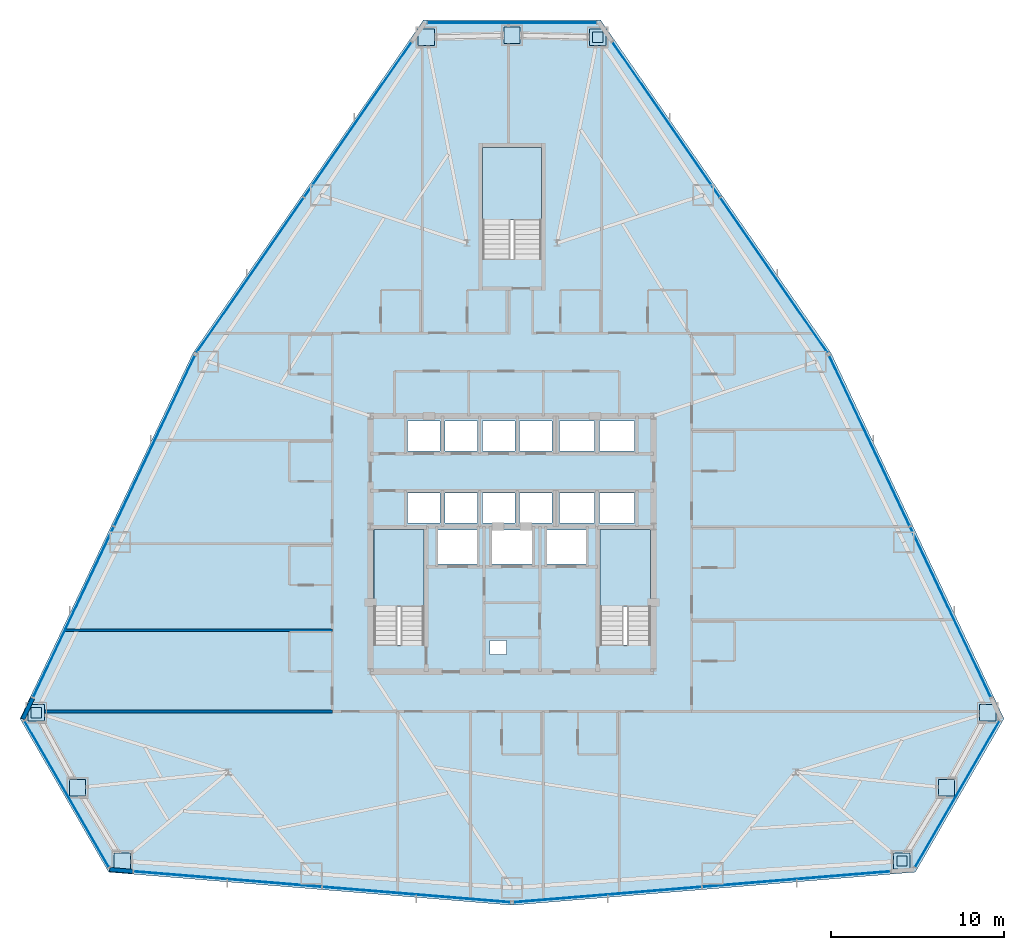
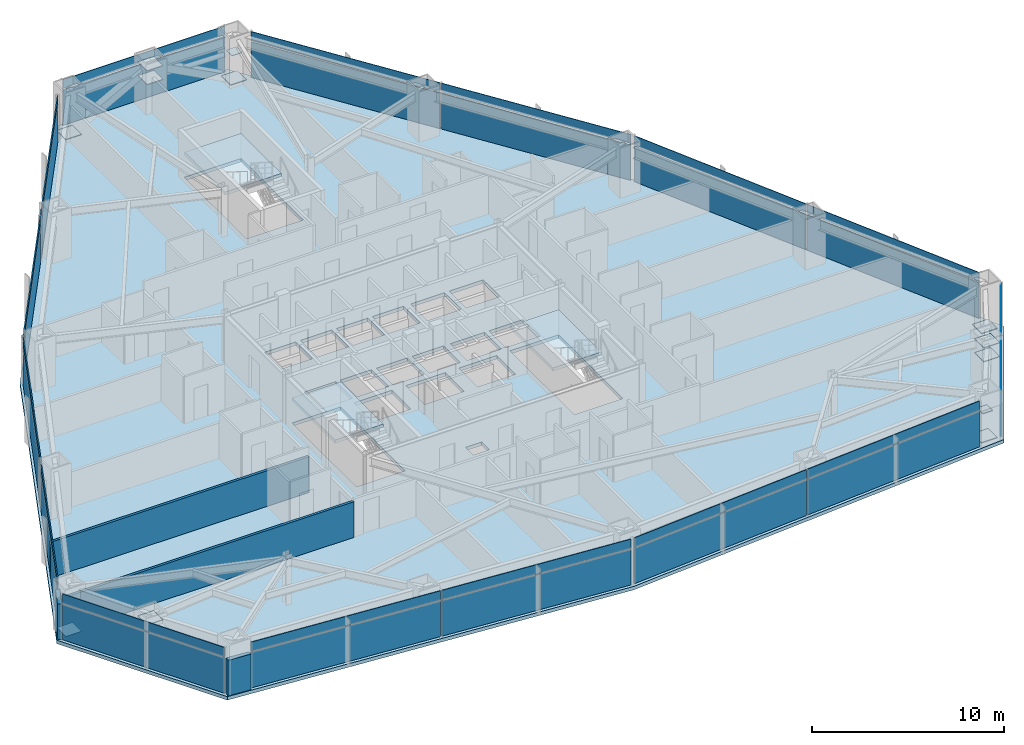
# One storey, part 8 of 13: 45 plates, 4 slabs, 4 walls, 12 elements without a shape of their own.
"""IFC4 building model written with IfcOpenShell, lengths in metres."""

from ifc_helpers import new_model, si_unit, direction, frame, frame_2d, origin, origin_2d, place, context, subcontext, project, spatial, polyline, rectangle, outline, extrude, source, transform, mapped, material, layer, layer_set, type_object, type_shapes, element, aggregate, save


model = new_model("IFC4")

# Units and contexts
model_context = context("Model", 3, precision=1e-05, world=origin(), true_north=direction((0.0, 1.0)))
body_context = subcontext(model_context, "Body", "Model", "MODEL_VIEW")
ifc_project = project(units=[si_unit("LENGTHUNIT", "METRE"), si_unit("AREAUNIT", "SQUARE_METRE"), si_unit("VOLUMEUNIT", "CUBIC_METRE"), si_unit("PLANEANGLEUNIT", "RADIAN"), si_unit("MASSUNIT", "GRAM", prefix="KILO")], contexts=[model_context])

# Site, building, storey
site_placement = place(None, origin())
site = spatial("IfcSite", under=ifc_project, at=site_placement, CompositionType="ELEMENT")
building_placement = place(site_placement, origin())
building = spatial("IfcBuilding", under=site, at=building_placement, Name="Varakhsha Concourse Tower", CompositionType="ELEMENT")
storey_placement = place(building_placement, frame((0.0, 0.0, 46.39990234375)))
storey = spatial("IfcBuildingStorey", under=building, at=storey_placement, Name="L12", CompositionType="ELEMENT", Elevation=46.39990234375)

# Slab
ifc_material_1 = material(Name="Concrete fc 45 MPa", Category="concrete")
ifc_layer_1 = layer(ifc_material_1, 0.219970703125, Name="SL-FLR-220")
ifc_layer_set_1 = layer_set([ifc_layer_1], Name="Concrete fc 45 MPa")
slab_type_1 = type_object("IfcSlabType", Name="SL-FLR-220", PredefinedType="FLOOR", material=ifc_layer_set_1)
slab_1_placement = place(storey_placement, frame((0.0, 0.0, -0.219970703125)))
element("IfcSlab", 1, at=slab_1_placement, inside=storey, type_object=slab_type_1, Name="L12 Composite Structural Slab", PredefinedType="FLOOR", context=body_context, shape_type="SweptSolid", body=[
    extrude(outline(polyline([(45.12841796875, 54.1171875), (34.87158203125, 54.1171875), (21.54248046875, 34.8564453125), (11.52685546875, 13.682861328125), (16.6552734375, 4.800048828125), (40.0, 2.88720703125), (63.3447265625, 4.800048828125), (68.47314453125, 13.682861328125), (58.45751953125, 34.8564453125), (45.12841796875, 54.1171875)]), holes=[polyline([(34.919921875, 17.93994140625), (34.919921875, 24.6298828125), (32.0, 24.6298828125), (32.0, 17.93994140625), (34.919921875, 17.93994140625)]), polyline([(48.02001953125, 17.93994140625), (48.02001953125, 24.6298828125), (45.10009765625, 24.6298828125), (45.10009765625, 17.93994140625), (48.02001953125, 17.93994140625)]), polyline([(41.699951171875, 40.300048828125), (41.699951171875, 46.75), (38.300048828125, 46.75), (38.300048828125, 40.300048828125), (41.699951171875, 40.300048828125)]), polyline([(33.9599609375, 29.159912109375), (35.840087890625, 29.159912109375), (35.840087890625, 30.89990234375), (33.9599609375, 30.89990234375), (33.9599609375, 29.159912109375)]), polyline([(36.1201171875, 29.159912109375), (38.0, 29.159912109375), (38.0, 30.89990234375), (36.1201171875, 30.89990234375), (36.1201171875, 29.159912109375)]), polyline([(38.280029296875, 29.159912109375), (40.159912109375, 29.159912109375), (40.159912109375, 30.89990234375), (38.280029296875, 30.89990234375), (38.280029296875, 29.159912109375)]), polyline([(40.43994140625, 29.159912109375), (42.320068359375, 29.159912109375), (42.320068359375, 30.89990234375), (40.43994140625, 30.89990234375), (40.43994140625, 29.159912109375)]), polyline([(33.9599609375, 25.0), (35.840087890625, 25.0), (35.840087890625, 26.739990234375), (33.9599609375, 26.739990234375), (33.9599609375, 25.0)]), polyline([(36.1201171875, 25.0), (38.0, 25.0), (38.0, 26.739990234375), (36.1201171875, 26.739990234375), (36.1201171875, 25.0)]), polyline([(38.280029296875, 25.0), (40.159912109375, 25.0), (40.159912109375, 26.739990234375), (38.280029296875, 26.739990234375), (38.280029296875, 25.0)]), polyline([(40.43994140625, 25.0), (42.320068359375, 25.0), (42.320068359375, 26.739990234375), (40.43994140625, 26.739990234375), (40.43994140625, 25.0)]), polyline([(42.739990234375, 29.159912109375), (44.780029296875, 29.159912109375), (44.780029296875, 30.89990234375), (42.739990234375, 30.89990234375), (42.739990234375, 29.159912109375)]), polyline([(45.06005859375, 29.159912109375), (47.10009765625, 29.159912109375), (47.10009765625, 30.89990234375), (45.06005859375, 30.89990234375), (45.06005859375, 29.159912109375)]), polyline([(42.739990234375, 25.0), (44.780029296875, 25.0), (44.780029296875, 26.739990234375), (42.739990234375, 26.739990234375), (42.739990234375, 25.0)]), polyline([(45.06005859375, 25.0), (47.10009765625, 25.0), (47.10009765625, 26.739990234375), (45.06005859375, 26.739990234375), (45.06005859375, 25.0)]), polyline([(35.7099609375, 22.639892578125), (37.989990234375, 22.639892578125), (37.989990234375, 24.60009765625), (35.7099609375, 24.60009765625), (35.7099609375, 22.639892578125)]), polyline([(42.010009765625, 22.639892578125), (44.2900390625, 22.639892578125), (44.2900390625, 24.60009765625), (42.010009765625, 24.60009765625), (42.010009765625, 22.639892578125)]), polyline([(38.81005859375, 22.639892578125), (41.18994140625, 22.639892578125), (41.18994140625, 24.60009765625), (38.81005859375, 24.60009765625), (38.81005859375, 22.639892578125)]), polyline([(38.719970703125, 17.39990234375), (39.679931640625, 17.39990234375), (39.679931640625, 18.199951171875), (38.719970703125, 18.199951171875), (38.719970703125, 17.39990234375)])]), origin(), (0.0, 0.0, 1.0), 0.219970703125),
])

# Stair, slab
stair_type_1 = type_object("IfcStairType", Name="ST-DOGLEG-1360", PredefinedType="HALF_TURN_STAIR", material=ifc_material_1)
stair_1_placement = place(storey_placement, origin())
stair_1 = element("IfcStair", 2, at=stair_1_placement, inside=storey, type_object=stair_type_1, Name="L12 Protected Exit Stair ST1", PredefinedType="HALF_TURN_STAIR")
ifc_layer_2 = layer(ifc_material_1, 0.199951171875, Name="SL-LAND-200")
ifc_layer_set_2 = layer_set([ifc_layer_2], Name="Concrete fc 45 MPa")
slab_type_2 = type_object("IfcSlabType", Name="SL-LAND-200", PredefinedType="LANDING", material=ifc_layer_set_2)
slab_2_placement = place(storey_placement, frame((0.0, 0.0, 1.400146484375)))
slab_2 = element("IfcSlab", 3, at=slab_2_placement, type_object=slab_type_2, Name="ST1 landing 1", PredefinedType="LANDING", context=body_context, shape_type="SweptSolid", body=[
    extrude(outline(polyline([(34.919921875, 20.179931640625), (34.919921875, 24.6298828125), (32.0, 24.6298828125), (32.0, 20.179931640625), (34.919921875, 20.179931640625)])), origin(), (0.0, 0.0, 1.0), 0.199951171875),
])
aggregate(stair_1, [slab_2])

stair_2_placement = place(storey_placement, origin())
stair_2 = element("IfcStair", 4, at=stair_2_placement, inside=storey, type_object=stair_type_1, Name="L12 Protected Exit Stair ST2", PredefinedType="HALF_TURN_STAIR")
slab_3_placement = place(storey_placement, frame((0.0, 0.0, 1.400146484375)))
slab_3 = element("IfcSlab", 5, at=slab_3_placement, type_object=slab_type_2, Name="ST2 landing 1", PredefinedType="LANDING", context=body_context, shape_type="SweptSolid", body=[
    extrude(outline(polyline([(48.02001953125, 20.179931640625), (48.02001953125, 24.6298828125), (45.10009765625, 24.6298828125), (45.10009765625, 20.179931640625), (48.02001953125, 20.179931640625)])), origin(), (0.0, 0.0, 1.0), 0.199951171875),
])
aggregate(stair_2, [slab_3])

stair_type_2 = type_object("IfcStairType", Name="ST-DOGLEG-1600", PredefinedType="HALF_TURN_STAIR", material=ifc_material_1)
stair_3_placement = place(storey_placement, origin())
stair_3 = element("IfcStair", 6, at=stair_3_placement, inside=storey, type_object=stair_type_2, Name="L12 Protected Exit Stair ST5", PredefinedType="HALF_TURN_STAIR")
slab_4_placement = place(storey_placement, frame((0.0, 0.0, 1.400146484375)))
slab_4 = element("IfcSlab", 7, at=slab_4_placement, type_object=slab_type_2, Name="ST5 landing 1", PredefinedType="LANDING", context=body_context, shape_type="SweptSolid", body=[
    extrude(outline(polyline([(41.699951171875, 42.5400390625), (41.699951171875, 46.75), (38.300048828125, 46.75), (38.300048828125, 42.5400390625), (41.699951171875, 42.5400390625)])), origin(), (0.0, 0.0, 1.0), 0.199951171875),
])
aggregate(stair_3, [slab_4])

# Plates
ifc_material_2 = material(Name="Structural Steel ASTM A572 Grade 50", Category="steel")
ifc_layer_3 = layer(ifc_material_2, 0.030029296875, Name="PL-ENDCAP-950")
ifc_layer_set_3 = layer_set([ifc_layer_3], Name="Structural Steel ASTM A572 Grade 50")
plate_type_1 = type_object("IfcPlateType", Name="PL-ENDCAP-950", PredefinedType="USERDEFINED", material=ifc_layer_set_3)
shared_shape_1 = source(origin(), body_context, "Body", "SweptSolid", [
    extrude(rectangle(XDim=0.949951171875, YDim=0.949951171875, at=origin_2d()), origin(), (0.0, 0.0, 1.0), 0.030029296875),
])
type_shapes(plate_type_1, [shared_shape_1])
for number, where, z_axis, x_axis, name in (
    (8, (44.95751953125, 53.11962890625, 0.10498046875), (0.0, 0.0, 1.0), (1.0, 0.0, 0.0), "Hollow Section End Cap GP-NODE-L12-0070"),
    (9, (40.0, 53.237060546875, 2.6650390625), (0.0, 0.0, 1.0), (1.0, 0.0, 0.0), "Hollow Section End Cap GP-NODE-L12-0071"),
    (10, (35.04248046875, 53.11962890625, 0.10498046875), (0.0, 0.0, 1.0), (1.0, 0.0, 0.0), "Hollow Section End Cap GP-NODE-L12-0072"),
    (11, (12.47607421875, 14.033447265625, 0.10498046875), (0.0, 0.0, 1.0), (1.0, 0.0, 0.0), "Hollow Section End Cap GP-NODE-L12-0073"),
    (12, (14.853271484375, 9.681396484375, 2.6650390625), (0.0, 0.0, 1.0), (1.0, 0.0, 0.0), "Hollow Section End Cap GP-NODE-L12-0074"),
    (13, (17.43359375, 5.44677734375, 0.10498046875), (0.0, 0.0, 1.0), (1.0, 0.0, 0.0), "Hollow Section End Cap GP-NODE-L12-0075"),
    (14, (62.56640625, 5.44677734375, 0.10498046875), (0.0, 0.0, 1.0), (1.0, 0.0, 0.0), "Hollow Section End Cap GP-NODE-L12-0076"),
    (15, (65.146728515625, 9.681396484375, 2.6650390625), (0.0, 0.0, 1.0), (1.0, 0.0, 0.0), "Hollow Section End Cap GP-NODE-L12-0077"),
    (16, (67.52392578125, 14.033447265625, 0.10498046875), (0.0, 0.0, 1.0), (1.0, 0.0, 0.0), "Hollow Section End Cap GP-NODE-L12-0078"),
    (17, (40.0, 53.237060546875, 1.78515625), (0.0, 0.0, 1.0), (1.0, 0.0, 0.0), "Hollow Section End Cap GP-NODE-L12-0079"),
    (18, (14.853271484375, 9.681396484375, 1.78515625), (0.0, 0.0, 1.0), (1.0, 0.0, 0.0), "Hollow Section End Cap GP-NODE-L12-0080"),
    (19, (65.146728515625, 9.681396484375, 1.78515625), (0.0, 0.0, 1.0), (1.0, 0.0, 0.0), "Hollow Section End Cap GP-NODE-L12-0081"),
):
    element("IfcPlate", number, at=place(storey_placement, frame(where, z_axis=z_axis, x_axis=x_axis)), inside=storey, type_object=plate_type_1, Name=name, ObjectType="END PLATE", PredefinedType="USERDEFINED", context=body_context, shape_type="MappedRepresentation", body=[
        mapped(shared_shape_1, transform((0.0, 0.0, 0.0), scale=1.0)),
    ])
ifc_layer_4 = layer(ifc_material_2, 0.030029296875, Name="PL-BASE-600")
ifc_layer_set_4 = layer_set([ifc_layer_4], Name="Structural Steel ASTM A572 Grade 50")
plate_type_2 = type_object("IfcPlateType", Name="PL-BASE-600", PredefinedType="SHEET", material=ifc_layer_set_4)
shared_shape_2 = source(origin(), body_context, "Body", "SweptSolid", [
    extrude(rectangle(XDim=0.60009765625, YDim=0.60009765625, at=origin_2d()), origin(), (0.0, 0.0, 1.0), 0.030029296875),
])
type_shapes(plate_type_2, [shared_shape_2])
for number, where, z_axis, x_axis, name in (
    (20, (44.95751953125, 53.11962890625, 1.78515625), (0.0, 0.0, 1.0), (1.0, 0.0, 0.0), "Hollow Section End Cap BP-WTIE-L12-1"),
    (21, (12.47607421875, 14.033447265625, 1.78515625), (0.0, 0.0, 1.0), (1.0, 0.0, 0.0), "Hollow Section End Cap BP-WTIE-L12-2"),
    (22, (62.56640625, 5.44677734375, 1.78515625), (0.0, 0.0, 1.0), (1.0, 0.0, 0.0), "Hollow Section End Cap BP-WTIE-L12-3"),
):
    element("IfcPlate", number, at=place(storey_placement, frame(where, z_axis=z_axis, x_axis=x_axis)), inside=storey, type_object=plate_type_2, Name=name, PredefinedType="SHEET", context=body_context, shape_type="MappedRepresentation", body=[
        mapped(shared_shape_2, transform((0.0, 0.0, 0.0), scale=1.0)),
    ])

# Curtain wall, plate
ifc_material_3 = material(Name="Anodised Bronze Architectural Aluminium AA 6063-T6", Category="aluminium")
ifc_layer_5 = layer(ifc_material_3, 0.219970703125, Name="CW-SYS-02")
ifc_layer_set_5 = layer_set([ifc_layer_5], Name="Anodised Bronze Architectural Aluminium AA 6063-T6")
curtain_wall_type = type_object("IfcCurtainWallType", Name="CW-SYS-02", PredefinedType="NOTDEFINED", material=ifc_layer_set_5)
curtain_wall_1_placement = place(storey_placement, origin())
curtain_wall_1 = element("IfcCurtainWall", 23, at=curtain_wall_1_placement, inside=storey, type_object=curtain_wall_type, Name="L12 Chamfer Curtain Wall F1", PredefinedType="NOTDEFINED")
ifc_material_4 = material(Name="Insulated Anodised Bronze Aluminium Spandrel 36 mm", Category="aluminium")
ifc_layer_6 = layer(ifc_material_4, 0.035888671875, Name="CWP-SPN-36")
ifc_layer_set_6 = layer_set([ifc_layer_6], Name="Insulated Anodised Bronze Aluminium Spandrel 36 mm")
plate_type_3 = type_object("IfcPlateType", Name="CWP-SPN-36", PredefinedType="USERDEFINED", material=ifc_layer_set_6)
shared_shape_3 = source(origin(), body_context, "Body", "SweptSolid", [
    extrude(rectangle(XDim=9.738037109375, YDim=0.035888671875, at=origin_2d()), origin(), (0.0, 0.0, 1.0), 2.260986328125),
])
type_shapes(plate_type_3, [shared_shape_3])
plate_1_placement = place(storey_placement, frame((40.0, 53.95703125, 0.03466796875), z_axis=(0.0, 0.0, 1.0), x_axis=(1.0, 0.0, 0.0)))
plate_1 = element("IfcPlate", 24, at=plate_1_placement, type_object=plate_type_3, Name="CW-L12-F1 Panel 00-00", ObjectType="SPANDREL", PredefinedType="USERDEFINED", context=body_context, shape_type="MappedRepresentation", body=[
    mapped(shared_shape_3, transform((0.0, 0.0, 0.0), scale=1.0)),
])

curtain_wall_2_placement = place(storey_placement, origin())
curtain_wall_2 = element("IfcCurtainWall", 25, at=curtain_wall_2_placement, inside=storey, type_object=curtain_wall_type, Name="L12 Chamfer Curtain Wall F4", PredefinedType="NOTDEFINED")
plate_2_placement = place(storey_placement, frame((14.2294921875, 9.3212890625, 0.03466796875), z_axis=(0.0, 0.0, 1.0), x_axis=(-0.49999395399, 0.866028894422, 0.0)))
plate_2 = element("IfcPlate", 26, at=plate_2_placement, type_object=plate_type_3, Name="CW-L12-F4 Panel 00-00", ObjectType="SPANDREL", PredefinedType="USERDEFINED", context=body_context, shape_type="MappedRepresentation", body=[
    mapped(shared_shape_3, transform((0.0, 0.0, 0.0), scale=1.0)),
])

curtain_wall_3_placement = place(storey_placement, origin())
curtain_wall_3 = element("IfcCurtainWall", 27, at=curtain_wall_3_placement, inside=storey, type_object=curtain_wall_type, Name="L12 Chamfer Curtain Wall F7", PredefinedType="NOTDEFINED")
plate_3_placement = place(storey_placement, frame((65.770263671875, 9.321533203125, 0.03466796875), z_axis=(0.0, 0.0, 1.0), x_axis=(-0.49999395399, -0.866028894422, 0.0)))
plate_3 = element("IfcPlate", 28, at=plate_3_placement, type_object=plate_type_3, Name="CW-L12-F7 Panel 00-00", ObjectType="SPANDREL", PredefinedType="USERDEFINED", context=body_context, shape_type="MappedRepresentation", body=[
    mapped(shared_shape_3, transform((0.0, 0.0, 0.0), scale=1.0)),
])

# Plate
ifc_material_5 = material(Name="Glazed Turquoise-Bronze Ceramic Spandrel Panel 38 mm", Category="ceramic")
ifc_layer_7 = layer(ifc_material_5, 0.0380859375, Name="CWP-SPN-38")
ifc_layer_set_7 = layer_set([ifc_layer_7], Name="Glazed Turquoise-Bronze Ceramic Spandrel Panel 38 mm")
plate_type_4 = type_object("IfcPlateType", Name="CWP-SPN-38", PredefinedType="USERDEFINED", material=ifc_layer_set_7)
shared_shape_4 = source(origin(), body_context, "Body", "SweptSolid", [
    extrude(rectangle(XDim=9.738037109375, YDim=0.0380859375, at=origin_2d()), origin(), (0.0, 0.0, 1.0), 0.5810546875),
])
plate_4_placement = place(storey_placement, frame((40.0, 53.95703125, 2.364501953125), z_axis=(0.0, 0.0, 1.0), x_axis=(1.0, 0.0, 0.0)))
plate_4 = element("IfcPlate", 29, at=plate_4_placement, type_object=plate_type_4, Name="CW-L12-F1 Panel 00-01", ObjectType="SPANDREL", PredefinedType="USERDEFINED", context=body_context, shape_type="MappedRepresentation", body=[
    mapped(shared_shape_4, transform((0.0, 0.0, 0.0), scale=1.0)),
])

aggregate(curtain_wall_1, [plate_1, plate_4])

plate_5_placement = place(storey_placement, frame((14.2294921875, 9.3212890625, 2.364501953125), z_axis=(0.0, 0.0, 1.0), x_axis=(-0.49999395399, 0.866028894422, 0.0)))
plate_5 = element("IfcPlate", 30, at=plate_5_placement, type_object=plate_type_4, Name="CW-L12-F4 Panel 00-01", ObjectType="SPANDREL", PredefinedType="USERDEFINED", context=body_context, shape_type="MappedRepresentation", body=[
    mapped(shared_shape_4, transform((0.0, 0.0, 0.0), scale=1.0)),
])

aggregate(curtain_wall_2, [plate_2, plate_5])

plate_6_placement = place(storey_placement, frame((65.770263671875, 9.321533203125, 2.364501953125), z_axis=(0.0, 0.0, 1.0), x_axis=(-0.49999395399, -0.866028894422, 0.0)))
plate_6 = element("IfcPlate", 31, at=plate_6_placement, type_object=plate_type_4, Name="CW-L12-F7 Panel 00-01", ObjectType="SPANDREL", PredefinedType="USERDEFINED", context=body_context, shape_type="MappedRepresentation", body=[
    mapped(shared_shape_4, transform((0.0, 0.0, 0.0), scale=1.0)),
])

aggregate(curtain_wall_3, [plate_3, plate_6])

# Curtain wall, plate
curtain_wall_4_placement = place(storey_placement, origin())
curtain_wall_4 = element("IfcCurtainWall", 32, at=curtain_wall_4_placement, inside=storey, type_object=curtain_wall_type, Name="L12 Crystal Curtain Wall F2", PredefinedType="NOTDEFINED")
ifc_material_6 = material(Name="Low-E Triple Insulating Glass IGU 44 mm", Category="glass")
ifc_layer_8 = layer(ifc_material_6, 0.0439453125, Name="CWP-IGU-44")
ifc_layer_set_8 = layer_set([ifc_layer_8], Name="Low-E Triple Insulating Glass IGU 44 mm")
plate_type_5 = type_object("IfcPlateType", Name="CWP-IGU-44", PredefinedType="CURTAIN_PANEL", material=ifc_layer_set_8)
shared_shape_5 = source(origin(), body_context, "Body", "SweptSolid", [
    extrude(rectangle(XDim=10.88232421875, YDim=0.0439453125, at=origin_2d()), origin(), (0.0, 0.0, 1.0), 2.260986328125),
])
plate_7_placement = place(storey_placement, frame((24.83837890625, 39.337890625, 0.03466796875), z_axis=(0.0, 0.0, 1.0), x_axis=(0.569057091236, 0.822298015877, 0.0)))
plate_7 = element("IfcPlate", 33, at=plate_7_placement, type_object=plate_type_5, Name="CW-L12-F2 Panel 00-00", PredefinedType="CURTAIN_PANEL", context=body_context, shape_type="MappedRepresentation", body=[
    mapped(shared_shape_5, transform((0.0, 0.0, 0.0), scale=1.0)),
])

# Curtain wall, plates
curtain_wall_5_placement = place(storey_placement, origin())
curtain_wall_5 = element("IfcCurtainWall", 34, at=curtain_wall_5_placement, inside=storey, type_object=curtain_wall_type, Name="L12 Crystal Curtain Wall F3", PredefinedType="NOTDEFINED")
plate_8_placement = place(storey_placement, frame((14.622314453125, 19.8525390625, 0.03466796875), z_axis=(0.0, 0.0, 1.0), x_axis=(0.427604003332, 0.903966158844, 0.0)))
plate_8 = element("IfcPlate", 35, at=plate_8_placement, type_object=plate_type_5, Name="CW-L12-F3 Panel 00-00", PredefinedType="CURTAIN_PANEL", context=body_context, shape_type="MappedRepresentation", body=[
    mapped(shared_shape_5, transform((0.0, 0.0, 0.0), scale=1.0)),
])
plate_9_placement = place(storey_placement, frame((19.309326171875, 29.76123046875, 0.03466796875), z_axis=(0.0, 0.0, 1.0), x_axis=(0.427604003332, 0.903966158844, 0.0)))
plate_9 = element("IfcPlate", 36, at=plate_9_placement, type_object=plate_type_5, Name="CW-L12-F3 Panel 01-00", PredefinedType="CURTAIN_PANEL", context=body_context, shape_type="MappedRepresentation", body=[
    mapped(shared_shape_5, transform((0.0, 0.0, 0.0), scale=1.0)),
])

# Curtain wall, plate
curtain_wall_6_placement = place(storey_placement, origin())
curtain_wall_6 = element("IfcCurtainWall", 37, at=curtain_wall_6_placement, inside=storey, type_object=curtain_wall_type, Name="L12 Crystal Curtain Wall F5", PredefinedType="NOTDEFINED")
plate_10_placement = place(storey_placement, frame((34.470947265625, 3.500732421875, 0.03466796875), z_axis=(0.0, 0.0, 1.0), x_axis=(-0.996659944452, 0.081663670777, 0.0)))
plate_10 = element("IfcPlate", 38, at=plate_10_placement, type_object=plate_type_5, Name="CW-L12-F5 Panel 00-00", PredefinedType="CURTAIN_PANEL", context=body_context, shape_type="MappedRepresentation", body=[
    mapped(shared_shape_5, transform((0.0, 0.0, 0.0), scale=1.0)),
])

curtain_wall_7_placement = place(storey_placement, origin())
curtain_wall_7 = element("IfcCurtainWall", 39, at=curtain_wall_7_placement, inside=storey, type_object=curtain_wall_type, Name="L12 Crystal Curtain Wall F6", PredefinedType="NOTDEFINED")
plate_11_placement = place(storey_placement, frame((56.4541015625, 4.39599609375, 0.03466796875), z_axis=(0.0, 0.0, 1.0), x_axis=(-0.996659944452, -0.081663670777, 0.0)))
plate_11 = element("IfcPlate", 40, at=plate_11_placement, type_object=plate_type_5, Name="CW-L12-F6 Panel 00-00", PredefinedType="CURTAIN_PANEL", context=body_context, shape_type="MappedRepresentation", body=[
    mapped(shared_shape_5, transform((0.0, 0.0, 0.0), scale=1.0)),
])

# Curtain wall, plates
curtain_wall_8_placement = place(storey_placement, origin())
curtain_wall_8 = element("IfcCurtainWall", 41, at=curtain_wall_8_placement, inside=storey, type_object=curtain_wall_type, Name="L12 Crystal Curtain Wall F8", PredefinedType="NOTDEFINED")
plate_12_placement = place(storey_placement, frame((60.690673828125, 29.76123046875, 0.03466796875), z_axis=(0.0, 0.0, 1.0), x_axis=(0.427604003332, -0.903966158844, 0.0)))
plate_12 = element("IfcPlate", 42, at=plate_12_placement, type_object=plate_type_5, Name="CW-L12-F8 Panel 00-00", PredefinedType="CURTAIN_PANEL", context=body_context, shape_type="MappedRepresentation", body=[
    mapped(shared_shape_5, transform((0.0, 0.0, 0.0), scale=1.0)),
])
plate_13_placement = place(storey_placement, frame((65.377685546875, 19.8525390625, 0.03466796875), z_axis=(0.0, 0.0, 1.0), x_axis=(0.427604003332, -0.903966158844, 0.0)))
plate_13 = element("IfcPlate", 43, at=plate_13_placement, type_object=plate_type_5, Name="CW-L12-F8 Panel 01-00", PredefinedType="CURTAIN_PANEL", context=body_context, shape_type="MappedRepresentation", body=[
    mapped(shared_shape_5, transform((0.0, 0.0, 0.0), scale=1.0)),
])

# Curtain wall, plate
curtain_wall_9_placement = place(storey_placement, origin())
curtain_wall_9 = element("IfcCurtainWall", 44, at=curtain_wall_9_placement, inside=storey, type_object=curtain_wall_type, Name="L12 Crystal Curtain Wall F9", PredefinedType="NOTDEFINED")
plate_14_placement = place(storey_placement, frame((48.923828125, 48.3515625, 0.03466796875), z_axis=(0.0, 0.0, 1.0), x_axis=(0.569057091236, -0.822298015877, 0.0)))
plate_14 = element("IfcPlate", 45, at=plate_14_placement, type_object=plate_type_5, Name="CW-L12-F9 Panel 00-00", PredefinedType="CURTAIN_PANEL", context=body_context, shape_type="MappedRepresentation", body=[
    mapped(shared_shape_5, transform((0.0, 0.0, 0.0), scale=1.0)),
])

# Plate
shared_shape_6 = source(origin(), body_context, "Body", "SweptSolid", [
    extrude(rectangle(XDim=10.88232421875, YDim=0.0380859375, at=origin_2d()), origin(), (0.0, 0.0, 1.0), 0.5810546875),
])
plate_15_placement = place(storey_placement, frame((24.83837890625, 39.337890625, 2.364501953125), z_axis=(0.0, 0.0, 1.0), x_axis=(0.569057091236, 0.822298015877, 0.0)))
plate_15 = element("IfcPlate", 46, at=plate_15_placement, type_object=plate_type_4, Name="CW-L12-F2 Panel 00-01", ObjectType="SPANDREL", PredefinedType="USERDEFINED", context=body_context, shape_type="MappedRepresentation", body=[
    mapped(shared_shape_6, transform((0.0, 0.0, 0.0), scale=1.0)),
])

plate_16_placement = place(storey_placement, frame((14.622314453125, 19.8525390625, 2.364501953125), z_axis=(0.0, 0.0, 1.0), x_axis=(0.427604003332, 0.903966158844, 0.0)))
plate_16 = element("IfcPlate", 47, at=plate_16_placement, type_object=plate_type_4, Name="CW-L12-F3 Panel 00-01", ObjectType="SPANDREL", PredefinedType="USERDEFINED", context=body_context, shape_type="MappedRepresentation", body=[
    mapped(shared_shape_6, transform((0.0, 0.0, 0.0), scale=1.0)),
])

plate_17_placement = place(storey_placement, frame((19.309326171875, 29.76123046875, 2.364501953125), z_axis=(0.0, 0.0, 1.0), x_axis=(0.427604003332, 0.903966158844, 0.0)))
plate_17 = element("IfcPlate", 48, at=plate_17_placement, type_object=plate_type_4, Name="CW-L12-F3 Panel 01-01", ObjectType="SPANDREL", PredefinedType="USERDEFINED", context=body_context, shape_type="MappedRepresentation", body=[
    mapped(shared_shape_6, transform((0.0, 0.0, 0.0), scale=1.0)),
])

aggregate(curtain_wall_5, [plate_8, plate_16, plate_9, plate_17])

plate_18_placement = place(storey_placement, frame((34.470947265625, 3.500732421875, 2.364501953125), z_axis=(0.0, 0.0, 1.0), x_axis=(-0.996659944452, 0.081663670777, 0.0)))
plate_18 = element("IfcPlate", 49, at=plate_18_placement, type_object=plate_type_4, Name="CW-L12-F5 Panel 00-01", ObjectType="SPANDREL", PredefinedType="USERDEFINED", context=body_context, shape_type="MappedRepresentation", body=[
    mapped(shared_shape_6, transform((0.0, 0.0, 0.0), scale=1.0)),
])

plate_19_placement = place(storey_placement, frame((56.4541015625, 4.39599609375, 2.364501953125), z_axis=(0.0, 0.0, 1.0), x_axis=(-0.996659944452, -0.081663670777, 0.0)))
plate_19 = element("IfcPlate", 50, at=plate_19_placement, type_object=plate_type_4, Name="CW-L12-F6 Panel 00-01", ObjectType="SPANDREL", PredefinedType="USERDEFINED", context=body_context, shape_type="MappedRepresentation", body=[
    mapped(shared_shape_6, transform((0.0, 0.0, 0.0), scale=1.0)),
])

plate_20_placement = place(storey_placement, frame((60.690673828125, 29.76123046875, 2.364501953125), z_axis=(0.0, 0.0, 1.0), x_axis=(0.427604003332, -0.903966158844, 0.0)))
plate_20 = element("IfcPlate", 51, at=plate_20_placement, type_object=plate_type_4, Name="CW-L12-F8 Panel 00-01", ObjectType="SPANDREL", PredefinedType="USERDEFINED", context=body_context, shape_type="MappedRepresentation", body=[
    mapped(shared_shape_6, transform((0.0, 0.0, 0.0), scale=1.0)),
])

plate_21_placement = place(storey_placement, frame((65.377685546875, 19.8525390625, 2.364501953125), z_axis=(0.0, 0.0, 1.0), x_axis=(0.427604003332, -0.903966158844, 0.0)))
plate_21 = element("IfcPlate", 52, at=plate_21_placement, type_object=plate_type_4, Name="CW-L12-F8 Panel 01-01", ObjectType="SPANDREL", PredefinedType="USERDEFINED", context=body_context, shape_type="MappedRepresentation", body=[
    mapped(shared_shape_6, transform((0.0, 0.0, 0.0), scale=1.0)),
])

aggregate(curtain_wall_8, [plate_12, plate_20, plate_13, plate_21])

plate_22_placement = place(storey_placement, frame((48.923828125, 48.3515625, 2.364501953125), z_axis=(0.0, 0.0, 1.0), x_axis=(0.569057091236, -0.822298015877, 0.0)))
plate_22 = element("IfcPlate", 53, at=plate_22_placement, type_object=plate_type_4, Name="CW-L12-F9 Panel 00-01", ObjectType="SPANDREL", PredefinedType="USERDEFINED", context=body_context, shape_type="MappedRepresentation", body=[
    mapped(shared_shape_6, transform((0.0, 0.0, 0.0), scale=1.0)),
])

shared_shape_7 = source(origin(), body_context, "Body", "SweptSolid", [
    extrude(rectangle(XDim=10.882568359375, YDim=0.0439453125, at=origin_2d()), origin(), (0.0, 0.0, 1.0), 2.260986328125),
])
type_shapes(plate_type_5, [shared_shape_5, shared_shape_7])
plate_23_placement = place(storey_placement, frame((31.076171875, 48.3515625, 0.03466796875), z_axis=(0.0, 0.0, 1.0), x_axis=(0.569057091236, 0.822298015877, 0.0)))
plate_23 = element("IfcPlate", 54, at=plate_23_placement, type_object=plate_type_5, Name="CW-L12-F2 Panel 01-00", PredefinedType="CURTAIN_PANEL", context=body_context, shape_type="MappedRepresentation", body=[
    mapped(shared_shape_7, transform((0.0, 0.0, 0.0), scale=1.0)),
])

plate_24_placement = place(storey_placement, frame((23.546142578125, 4.39599609375, 0.03466796875), z_axis=(0.0, 0.0, 1.0), x_axis=(-0.996659944452, 0.081663670777, 0.0)))
plate_24 = element("IfcPlate", 55, at=plate_24_placement, type_object=plate_type_5, Name="CW-L12-F5 Panel 01-00", PredefinedType="CURTAIN_PANEL", context=body_context, shape_type="MappedRepresentation", body=[
    mapped(shared_shape_7, transform((0.0, 0.0, 0.0), scale=1.0)),
])

plate_25_placement = place(storey_placement, frame((45.529296875, 3.500732421875, 0.03466796875), z_axis=(0.0, 0.0, 1.0), x_axis=(-0.996659944452, -0.081663670777, 0.0)))
plate_25 = element("IfcPlate", 56, at=plate_25_placement, type_object=plate_type_5, Name="CW-L12-F6 Panel 01-00", PredefinedType="CURTAIN_PANEL", context=body_context, shape_type="MappedRepresentation", body=[
    mapped(shared_shape_7, transform((0.0, 0.0, 0.0), scale=1.0)),
])

plate_26_placement = place(storey_placement, frame((55.16162109375, 39.337890625, 0.03466796875), z_axis=(0.0, 0.0, 1.0), x_axis=(0.569057091236, -0.822298015877, 0.0)))
plate_26 = element("IfcPlate", 57, at=plate_26_placement, type_object=plate_type_5, Name="CW-L12-F9 Panel 01-00", PredefinedType="CURTAIN_PANEL", context=body_context, shape_type="MappedRepresentation", body=[
    mapped(shared_shape_7, transform((0.0, 0.0, 0.0), scale=1.0)),
])

shared_shape_8 = source(origin(), body_context, "Body", "SweptSolid", [
    extrude(rectangle(XDim=10.882568359375, YDim=0.0380859375, at=origin_2d()), origin(), (0.0, 0.0, 1.0), 0.5810546875),
])
type_shapes(plate_type_4, [shared_shape_4, shared_shape_6, shared_shape_8])
plate_27_placement = place(storey_placement, frame((31.076171875, 48.3515625, 2.364501953125), z_axis=(0.0, 0.0, 1.0), x_axis=(0.569057091236, 0.822298015877, 0.0)))
plate_27 = element("IfcPlate", 58, at=plate_27_placement, type_object=plate_type_4, Name="CW-L12-F2 Panel 01-01", ObjectType="SPANDREL", PredefinedType="USERDEFINED", context=body_context, shape_type="MappedRepresentation", body=[
    mapped(shared_shape_8, transform((0.0, 0.0, 0.0), scale=1.0)),
])

aggregate(curtain_wall_4, [plate_7, plate_15, plate_23, plate_27])

plate_28_placement = place(storey_placement, frame((23.546142578125, 4.39599609375, 2.364501953125), z_axis=(0.0, 0.0, 1.0), x_axis=(-0.996659944452, 0.081663670777, 0.0)))
plate_28 = element("IfcPlate", 59, at=plate_28_placement, type_object=plate_type_4, Name="CW-L12-F5 Panel 01-01", ObjectType="SPANDREL", PredefinedType="USERDEFINED", context=body_context, shape_type="MappedRepresentation", body=[
    mapped(shared_shape_8, transform((0.0, 0.0, 0.0), scale=1.0)),
])

aggregate(curtain_wall_6, [plate_10, plate_18, plate_24, plate_28])

plate_29_placement = place(storey_placement, frame((45.529296875, 3.500732421875, 2.364501953125), z_axis=(0.0, 0.0, 1.0), x_axis=(-0.996659944452, -0.081663670777, 0.0)))
plate_29 = element("IfcPlate", 60, at=plate_29_placement, type_object=plate_type_4, Name="CW-L12-F6 Panel 01-01", ObjectType="SPANDREL", PredefinedType="USERDEFINED", context=body_context, shape_type="MappedRepresentation", body=[
    mapped(shared_shape_8, transform((0.0, 0.0, 0.0), scale=1.0)),
])

aggregate(curtain_wall_7, [plate_11, plate_19, plate_25, plate_29])

plate_30_placement = place(storey_placement, frame((55.16162109375, 39.337890625, 2.364501953125), z_axis=(0.0, 0.0, 1.0), x_axis=(0.569057091236, -0.822298015877, 0.0)))
plate_30 = element("IfcPlate", 61, at=plate_30_placement, type_object=plate_type_4, Name="CW-L12-F9 Panel 01-01", ObjectType="SPANDREL", PredefinedType="USERDEFINED", context=body_context, shape_type="MappedRepresentation", body=[
    mapped(shared_shape_8, transform((0.0, 0.0, 0.0), scale=1.0)),
])

aggregate(curtain_wall_9, [plate_14, plate_22, plate_26, plate_30])

# Walls
ifc_layer_9 = layer(ifc_material_1, 0.239990234375, Name="WL-EXT-CRN-240")
ifc_layer_set_9 = layer_set([ifc_layer_9], Name="Concrete fc 45 MPa")
wall_type_1 = type_object("IfcWallType", Name="WL-EXT-CRN-240", PredefinedType="SHEAR", material=ifc_layer_set_9)
wall_1_placement = place(storey_placement, frame((12.2626953125, 14.8642578125, 0.0), z_axis=(0.0, 0.0, 1.0), x_axis=(-0.427644283084, -0.903947104175, 0.0)))
element("IfcWall", 62, at=wall_1_placement, inside=storey, type_object=wall_type_1, Name="L12 Wind-Corner Shoulder Wall F3", PredefinedType="SHEAR", context=body_context, shape_type="SweptSolid", body=[
    extrude(rectangle(XDim=1.32958984375, YDim=0.239990234375, at=frame_2d((0.664794921875, 0.0))), origin(), (0.0, 0.0, 1.0), 2.26318359375),
])
wall_2_placement = place(storey_placement, frame((16.72119140625, 4.955078125, 0.0), z_axis=(0.0, 0.0, 1.0), x_axis=(0.996670011116, -0.081540719538, 0.0)))
element("IfcWall", 63, at=wall_2_placement, inside=storey, type_object=wall_type_1, Name="L12 Wind-Corner Shoulder Wall F5", PredefinedType="SHEAR", context=body_context, shape_type="SweptSolid", body=[
    extrude(rectangle(XDim=1.329345703125, YDim=0.239990234375, at=frame_2d((0.66455078125, 0.0))), origin(), (0.0, 0.0, 1.0), 2.26318359375),
])
ifc_material_7 = material(Name="Fire-Rated Type X Gypsum Partition Assembly", Category="gypsum")
ifc_layer_10 = layer(ifc_material_7, 0.14990234375, Name="WL-PART-150")
ifc_layer_set_10 = layer_set([ifc_layer_10], Name="Fire-Rated Type X Gypsum Partition Assembly")
wall_type_2 = type_object("IfcWallType", Name="WL-PART-150", PredefinedType="PARTITIONING", material=ifc_layer_set_10)
wall_3_placement = place(storey_placement, frame((11.906494140625, 14.10009765625, 0.0), z_axis=(0.0, 0.0, 1.0), x_axis=(1.0, 0.0, 0.0)))
element("IfcWall", 64, at=wall_3_placement, inside=storey, type_object=wall_type_2, Name="L12 Wall HDIV-WB0-L12", PredefinedType="PARTITIONING", context=body_context, shape_type="SweptSolid", body=[
    extrude(rectangle(XDim=17.693603515625, YDim=0.14990234375, at=frame_2d((8.8466796875, 0.0))), origin(), (0.0, 0.0, 1.0), 2.26806640625),
])
wall_4_placement = place(storey_placement, frame((14.1298828125, 18.800048828125, 0.0), z_axis=(0.0, 0.0, 1.0), x_axis=(1.0, 0.0, 0.0)))
element("IfcWall", 65, at=wall_4_placement, inside=storey, type_object=wall_type_2, Name="L12 Wall HDIV-W1-L12", PredefinedType="PARTITIONING", context=body_context, shape_type="SweptSolid", body=[
    extrude(rectangle(XDim=15.47021484375, YDim=0.14990234375, at=frame_2d((7.735107421875, 0.0))), origin(), (0.0, 0.0, 1.0), 2.26806640625),
])

save(model, "model.ifc")
